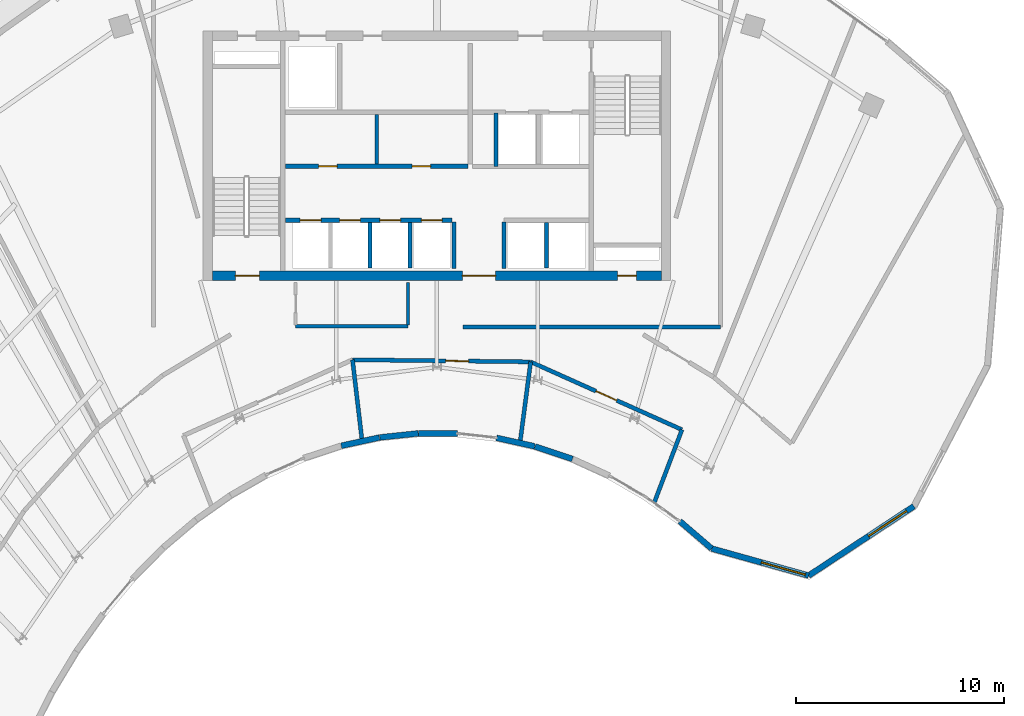
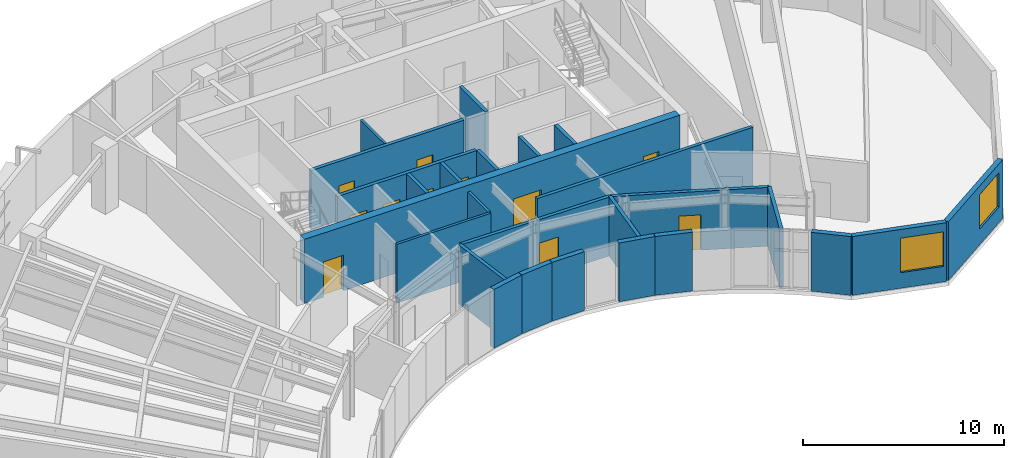
# One storey, part 8 of 12: 26 walls, 11 doors, 2 windows, 13 openings.
"""IFC4 building model written with IfcOpenShell, lengths in metres."""

import ifcopenshell
import ifcopenshell.guid

model = None  # the IFC model being written
_history = None  # IfcOwnerHistory: only IFC2X3 demands one
_inside = {}  # id of a spatial element -> (the spatial element, [elements in it])
_under = {}  # id of a project, library or spatial element -> (it, [spatial elements below it])
_declared = {}  # id of a project -> (the project, [libraries it declares])
_typed = {}  # id of a type object -> (the type object, [elements of that type])
_made_of = {}  # id of a material, layer set ... -> (it, [elements and type objects made of it])


def new_model(schema):
    """Start an empty IFC model of exactly this schema.

    Asked for "IFC4X3", IfcOpenShell would pick the latest addendum, in which some entities
    have other attributes; the version numbers below select the first issue.
    IFC2X3 requires an IfcOwnerHistory on every rooted entity: one is made here for all.
    """
    global model, _history
    if schema == "IFC4X3":
        model = ifcopenshell.file(schema_version=(4, 3, 0, 0))
    else:
        model = ifcopenshell.file(schema=schema)
    _inside.clear()
    _under.clear()
    _declared.clear()
    _typed.clear()
    _made_of.clear()
    _history = None
    if model.schema == "IFC2X3":
        org = make("IfcOrganization", Name="unknown")
        user = make(
            "IfcPersonAndOrganization",
            ThePerson=make("IfcPerson", FamilyName="unknown"),
            TheOrganization=org,
        )
        app = make(
            "IfcApplication",
            ApplicationDeveloper=org,
            Version="unknown",
            ApplicationFullName="unknown",
            ApplicationIdentifier="unknown",
        )
        _history = make(
            "IfcOwnerHistory",
            OwningUser=user,
            OwningApplication=app,
            ChangeAction="ADDED",
            CreationDate=0,
        )
    return model


def make(cls, **values):
    """One entity of the class cls with the attributes given. An attribute that is None is left unset."""
    return model.create_entity(
        cls, **{name: value for name, value in values.items() if value is not None}
    )


def rooted(cls, **values):
    """An entity with a GlobalId (a new one), such as an element, a storey or a relation."""
    return make(cls, GlobalId=ifcopenshell.guid.new(), OwnerHistory=_history, **values)


def si_unit(unit_type, name, prefix=None):
    """IfcSIUnit, for example si_unit("LENGTHUNIT", "METRE", prefix="MILLI")."""
    return make("IfcSIUnit", UnitType=unit_type, Prefix=prefix, Name=name)


def assignment(units):
    """IfcUnitAssignment: the units of a project."""
    return None if units is None else make("IfcUnitAssignment", Units=units)


def point(xyz):
    """IfcCartesianPoint."""
    return None if xyz is None else make("IfcCartesianPoint", Coordinates=xyz)


def direction(xyz):
    """IfcDirection."""
    return None if xyz is None else make("IfcDirection", DirectionRatios=xyz)


def frame(location, z_axis=None, x_axis=None):
    """IfcAxis2Placement3D, a coordinate frame: its origin and axes. An axis left out is left unset."""
    return make(
        "IfcAxis2Placement3D",
        Location=point(location),
        Axis=direction(z_axis),
        RefDirection=direction(x_axis),
    )


def frame_2d(location, x_axis=None):
    """IfcAxis2Placement2D, a coordinate frame in the plane: its origin and x axis."""
    return make(
        "IfcAxis2Placement2D", Location=point(location), RefDirection=direction(x_axis)
    )


def origin():
    """The frame at (0, 0, 0) with its axes left unset."""
    return frame((0.0, 0.0, 0.0))


def place(relative_to, where):
    """IfcLocalPlacement: puts the frame where relative to a parent placement (None: the world)."""
    return make(
        "IfcLocalPlacement", PlacementRelTo=relative_to, RelativePlacement=where
    )


def context(
    kind, dimensions, precision=None, world=None, true_north=None, identifier=None
):
    """IfcGeometricRepresentationContext, for example the 3D "Model" context."""
    return make(
        "IfcGeometricRepresentationContext",
        ContextIdentifier=identifier,
        ContextType=kind,
        CoordinateSpaceDimension=dimensions,
        Precision=precision,
        WorldCoordinateSystem=world,
        TrueNorth=true_north,
    )


def subcontext(parent, identifier, kind, view, scale=None):
    """IfcGeometricRepresentationSubContext, for example "Body" below "Model"."""
    return make(
        "IfcGeometricRepresentationSubContext",
        ContextIdentifier=identifier,
        ContextType=kind,
        ParentContext=parent,
        TargetScale=scale,
        TargetView=view,
    )


def project(units=None, contexts=None):
    """IfcProject with its units and contexts."""
    return rooted(
        "IfcProject",
        Name="project",
        RepresentationContexts=contexts,
        UnitsInContext=assignment(units),
    )


def spatial(cls, under=None, at=None, **own):
    """A site, building, storey or space (cls), placed at a placement, below another one or the project."""
    s = rooted(cls, ObjectPlacement=at, **own)
    if under is not None:
        _under.setdefault(under.id(), (under, []))[1].append(s)
    return s


def profile(cls, at=None, kind="AREA", **sizes):
    """A parametric profile (cls). Its sizes go by their IFC names, for example OverallWidth=200.0."""
    return make(cls, ProfileType=kind, Position=at, **sizes)


def rectangle(**sizes):
    """IfcRectangleProfileDef."""
    return profile("IfcRectangleProfileDef", **sizes)


def extrude(swept, where, along, depth):
    """IfcExtrudedAreaSolid: the profile swept, set in the frame where, extruded along a direction by depth."""
    return make(
        "IfcExtrudedAreaSolid",
        SweptArea=swept,
        Position=where,
        ExtrudedDirection=direction(along),
        Depth=depth,
    )


def shape(context_of_items, identifier, shape_type, items):
    """IfcShapeRepresentation: the items that make up one representation, for example the "Body"."""
    return make(
        "IfcShapeRepresentation",
        ContextOfItems=context_of_items,
        RepresentationIdentifier=identifier,
        RepresentationType=shape_type,
        Items=items,
    )


def source(mapping_origin, context_of_items, identifier, shape_type, items):
    """IfcRepresentationMap: a shape defined once, which mapped items show again and again."""
    return make(
        "IfcRepresentationMap",
        MappingOrigin=mapping_origin,
        MappedRepresentation=shape(context_of_items, identifier, shape_type, items),
    )


def transform(
    local_origin,
    x_axis=None,
    y_axis=None,
    z_axis=None,
    scale=None,
    scale2=None,
    scale3=None,
    uniform=True,
):
    """IfcCartesianTransformationOperator3D, or its non-uniform kind. x_axis, y_axis, z_axis: its Axis1, 2, 3."""
    if uniform:
        return make(
            "IfcCartesianTransformationOperator3D",
            Axis1=direction(x_axis),
            Axis2=direction(y_axis),
            LocalOrigin=point(local_origin),
            Scale=scale,
            Axis3=direction(z_axis),
        )
    return make(
        "IfcCartesianTransformationOperator3DnonUniform",
        Axis1=direction(x_axis),
        Axis2=direction(y_axis),
        LocalOrigin=point(local_origin),
        Scale=scale,
        Axis3=direction(z_axis),
        Scale2=scale2,
        Scale3=scale3,
    )


def mapped(mapping_source, mapping_target):
    """IfcMappedItem: shows the shape of a source again, moved by a transform."""
    return make(
        "IfcMappedItem", MappingSource=mapping_source, MappingTarget=mapping_target
    )


def material(Name=None, Category=None):
    """IfcMaterial."""
    return make("IfcMaterial", Name=Name, Category=Category)


def layer(
    of_material, thickness, ventilated=None, Name=None, Category=None, Priority=None
):
    """IfcMaterialLayer: one layer of a wall or slab, of a material (None: an air gap)."""
    return make(
        "IfcMaterialLayer",
        Material=of_material,
        LayerThickness=thickness,
        IsVentilated=ventilated,
        Name=Name,
        Category=Category,
        Priority=Priority,
    )


def layer_set(layers, Name=None):
    """IfcMaterialLayerSet."""
    return make("IfcMaterialLayerSet", MaterialLayers=layers, LayerSetName=Name)


def made_of(thing, what):
    """Note that an element or type object is made of a material, layer set ...; save() writes the relation."""
    if what is not None:
        _made_of.setdefault(what.id(), (what, []))[1].append(thing)
    return thing


def type_object(cls, material=None, **own):
    """A type object (cls), such as IfcWallType, which elements share."""
    return made_of(rooted(cls, **own), material)


def type_shapes(of_type, sources):
    """Give a type object the sources (RepresentationMaps) that its elements show as mapped items."""
    of_type.RepresentationMaps = sources


def element(
    cls,
    number,
    at=None,
    inside=None,
    cuts=None,
    type_object=None,
    material=None,
    context=None,
    identifier="Body",
    shape_type=None,
    held_by="IfcProductDefinitionShape",
    body=None,
    shapes=None,
    **own,
):
    """One element of the class cls, such as IfcWall. Its Tag is "e" and its number.

    at: its placement. inside: the storey or other place that contains it. cuts: it is an
    opening in that element (IfcRelVoidsElement). A single representation is given by context,
    identifier, shape_type and body (its items); several are given by shapes. held_by: the class
    of the entity that holds the representations. save() writes the other relations.
    """
    e = rooted(cls, Tag="e%d" % number, ObjectPlacement=at, **own)
    if body is not None:
        shapes = [shape(context, identifier, shape_type, body)]
    if shapes is not None:
        e.Representation = make(held_by, Representations=shapes)
    if inside is not None:
        _inside.setdefault(inside.id(), (inside, []))[1].append(e)
    if cuts is not None:
        rooted(
            "IfcRelVoidsElement", RelatingBuildingElement=cuts, RelatedOpeningElement=e
        )
    if type_object is not None:
        _typed.setdefault(type_object.id(), (type_object, []))[1].append(e)
    return made_of(e, material)


def fill(opening, filler):
    """IfcRelFillsElement: the door or window that sits in an opening."""
    return rooted(
        "IfcRelFillsElement",
        RelatingOpeningElement=opening,
        RelatedBuildingElement=filler,
    )


def aggregate(whole, parts):
    """IfcRelAggregates: a whole, such as a stair, and the parts it consists of."""
    return rooted("IfcRelAggregates", RelatingObject=whole, RelatedObjects=parts)


def save(model, path):
    """Write the relations noted so far, then the file.

    IfcRelAggregates (storeys below a building ...), IfcRelContainedInSpatialStructure (elements
    in a storey), IfcRelDefinesByType, IfcRelAssociatesMaterial and IfcRelDeclares: one each for
    every whole, place, type object, material and project.
    """
    for whole, parts in _under.values():
        aggregate(whole, parts)
    for where, things in _inside.values():
        rooted(
            "IfcRelContainedInSpatialStructure",
            RelatedElements=things,
            RelatingStructure=where,
        )
    for kind, things in _typed.values():
        rooted("IfcRelDefinesByType", RelatedObjects=things, RelatingType=kind)
    for what, things in _made_of.values():
        rooted("IfcRelAssociatesMaterial", RelatedObjects=things, RelatingMaterial=what)
    for by, libraries in _declared.values():
        rooted("IfcRelDeclares", RelatingContext=by, RelatedDefinitions=libraries)
    model.write(path)


model = new_model("IFC4")

# Units and contexts
model_context = context("Model", 3, precision=1e-05, world=origin(), true_north=direction((0.0, 1.0)))
body_context = subcontext(model_context, "Body", "Model", "MODEL_VIEW")
ifc_project = project(units=[si_unit("LENGTHUNIT", "METRE"), si_unit("AREAUNIT", "SQUARE_METRE"), si_unit("VOLUMEUNIT", "CUBIC_METRE"), si_unit("PLANEANGLEUNIT", "RADIAN"), si_unit("MASSUNIT", "GRAM", prefix="KILO")], contexts=[model_context])

# Site, building, storey
site_placement = place(None, origin())
site = spatial("IfcSite", under=ifc_project, at=site_placement, CompositionType="ELEMENT")
building_placement = place(site_placement, origin())
building = spatial("IfcBuilding", under=site, at=building_placement, Name="Breltana Convention Tower", CompositionType="ELEMENT")
storey_placement = place(building_placement, frame((0.0, 0.0, 250.800048828125)))
storey = spatial("IfcBuildingStorey", under=building, at=storey_placement, Name="L61", CompositionType="ELEMENT", Elevation=250.800048828125)

# Wall, openings, doors
ifc_material_1 = material(Name="Concrete C60/75", Category="concrete")
ifc_layer_1 = layer(ifc_material_1, 0.449951171875, Name="Concrete C60/75")
ifc_layer_set_1 = layer_set([ifc_layer_1], Name="Concrete C60/75")
wall_type_1 = type_object("IfcWallType", Name="SW-CORE-450", PredefinedType="SHEAR", material=ifc_layer_set_1)
shared_shape_1 = source(origin(), body_context, "Body", "SweptSolid", [
    extrude(rectangle(XDim=21.60009765625, YDim=0.449951171875, at=frame_2d((10.800048828125, 0.0))), origin(), (0.0, 0.0, 1.0), 3.89990234375),
])
wall_1_placement = place(storey_placement, frame((37.199951171875, 60.425048828125, 0.0), z_axis=(0.0, 0.0, 1.0), x_axis=(1.0, 0.0, 0.0)))
wall_1 = element("IfcWall", 1, at=wall_1_placement, inside=storey, type_object=wall_type_1, Name="L61 South Core Shear Wall", PredefinedType="SHEAR", context=body_context, shape_type="MappedRepresentation", body=[
    mapped(shared_shape_1, transform((0.0, 0.0, 0.0), scale=1.0)),
])
opening_1_placement = place(wall_1_placement, frame((1.10009765625, 0.0, 0.0)))
opening_1 = element("IfcOpeningElement", 2, at=opening_1_placement, cuts=wall_1, Name="Opening D-11", PredefinedType="OPENING", context=body_context, shape_type="SweptSolid", body=[
    extrude(rectangle(XDim=1.14990234375, YDim=2.14990234375, at=frame_2d((0.574951171875, 1.074951171875))), frame((0.0, 0.23486328125, 0.0), z_axis=(0.0, -1.0, 0.0), x_axis=(1.0, 0.0, 0.0)), (0.0, 0.0, 1.0), 0.469970703125),
])
opening_2_placement = place(wall_1_placement, frame((19.5, 0.0, 0.0)))
opening_2 = element("IfcOpeningElement", 3, at=opening_2_placement, cuts=wall_1, Name="Opening D-18", PredefinedType="OPENING", context=body_context, shape_type="SweptSolid", body=[
    extrude(rectangle(XDim=0.89990234375, YDim=2.10009765625, at=frame_2d((0.449951171875, 1.050048828125))), frame((0.0, 0.23486328125, 0.0), z_axis=(0.0, -1.0, 0.0), x_axis=(1.0, 0.0, 0.0)), (0.0, 0.0, 1.0), 0.469970703125),
])
opening_3_placement = place(wall_1_placement, frame((12.02001953125, 0.0, 0.0)))
opening_3 = element("IfcOpeningElement", 4, at=opening_3_placement, cuts=wall_1, Name="Opening D-02", PredefinedType="OPENING", context=body_context, shape_type="SweptSolid", body=[
    extrude(rectangle(XDim=1.60009765625, YDim=2.14990234375, at=frame_2d((0.800048828125, 1.074951171875))), frame((0.0, 0.23486328125, 0.0), z_axis=(0.0, -1.0, 0.0), x_axis=(1.0, 0.0, 0.0)), (0.0, 0.0, 1.0), 0.469970703125),
])
ifc_material_2 = material(Name="Steel Stair Exit Door", Category="steel")
door_type_1 = type_object("IfcDoorType", Name="DR-FD120-1150", OperationType="NOTDEFINED", PredefinedType="DOOR", material=ifc_material_2)
shared_shape_2 = source(origin(), body_context, "Body", "SweptSolid", [
    extrude(rectangle(XDim=1.14990234375, YDim=2.14990234375, at=frame_2d((0.574951171875, 1.074951171875))), frame((0.0, 0.02490234375, 0.0), z_axis=(0.0, -1.0, 0.0), x_axis=(1.0, 0.0, 0.0)), (0.0, 0.0, 1.0), 0.050048828125),
])
type_shapes(door_type_1, [shared_shape_2])
door_1_placement = place(opening_1_placement, origin())
door_1 = element("IfcDoor", 5, at=door_1_placement, inside=storey, type_object=door_type_1, Name="L61 interior door D-L61-ST1", OperationType="SINGLE_SWING_LEFT", OverallHeight=2.14990234375, OverallWidth=1.14990234375, PredefinedType="DOOR", context=body_context, shape_type="MappedRepresentation", body=[
    mapped(shared_shape_2, transform((0.0, 0.0, 0.0), scale=1.0)),
])
fill(opening_1, door_1)
ifc_material_3 = material(Name="Steel Riser Fire Door", Category="steel")
door_type_2 = type_object("IfcDoorType", Name="DR-FD60-900", OperationType="NOTDEFINED", PredefinedType="DOOR", material=ifc_material_3)
shared_shape_3 = source(origin(), body_context, "Body", "SweptSolid", [
    extrude(rectangle(XDim=0.89990234375, YDim=2.10009765625, at=frame_2d((0.449951171875, 1.050048828125))), frame((0.0, 0.02490234375, 0.0), z_axis=(0.0, -1.0, 0.0), x_axis=(1.0, 0.0, 0.0)), (0.0, 0.0, 1.0), 0.050048828125),
])
type_shapes(door_type_2, [shared_shape_3])
door_2_placement = place(opening_2_placement, origin())
door_2 = element("IfcDoor", 6, at=door_2_placement, inside=storey, type_object=door_type_2, Name="L61 Core Riser Access Door D-L61-RS2", OperationType="SINGLE_SWING_RIGHT", OverallHeight=2.10009765625, OverallWidth=0.89990234375, PredefinedType="DOOR", context=body_context, shape_type="MappedRepresentation", body=[
    mapped(shared_shape_3, transform((0.0, 0.0, 0.0), scale=1.0)),
])
fill(opening_2, door_2)
ifc_material_4 = material(Name="Steel Glazed Smoke-Control Door", Category="steel")
door_type_3 = type_object("IfcDoorType", Name="DR-DBL-FD90-1600", OperationType="DOUBLE_DOOR_SINGLE_SWING", PredefinedType="DOOR", material=ifc_material_4)
shared_shape_4 = source(origin(), body_context, "Body", "SweptSolid", [
    extrude(rectangle(XDim=1.60009765625, YDim=2.14990234375, at=frame_2d((0.800048828125, 1.074951171875))), frame((0.0, 0.02490234375, 0.0), z_axis=(0.0, -1.0, 0.0), x_axis=(1.0, 0.0, 0.0)), (0.0, 0.0, 1.0), 0.050048828125),
])
type_shapes(door_type_3, [shared_shape_4])
door_3_placement = place(opening_3_placement, origin())
door_3 = element("IfcDoor", 7, at=door_3_placement, inside=storey, type_object=door_type_3, Name="L61 interior door D-L61-LLB-S", OperationType="DOUBLE_DOOR_SINGLE_SWING", OverallHeight=2.14990234375, OverallWidth=1.60009765625, PredefinedType="DOOR", context=body_context, shape_type="MappedRepresentation", body=[
    mapped(shared_shape_4, transform((0.0, 0.0, 0.0), scale=1.0)),
])
fill(opening_3, door_3)

# Wall, opening, window
ifc_material_5 = material(Name="Limestone Buff Insulated Wall", Category="masonry")
ifc_layer_2 = layer(ifc_material_5, 0.280029296875, Name="Limestone Buff Insulated Wall")
ifc_layer_set_2 = layer_set([ifc_layer_2], Name="Limestone Buff Insulated Wall")
wall_type_2 = type_object("IfcWallType", Name="WL-EXT-NOSE-280", PredefinedType="SOLIDWALL", material=ifc_layer_set_2)
shared_shape_5 = source(origin(), body_context, "Body", "SweptSolid", [
    extrude(rectangle(XDim=6.065185546875, YDim=0.280029296875, at=frame_2d((3.03271484375, 0.0))), origin(), (0.0, 0.0, 1.0), 3.579833984375),
])
wall_2_placement = place(storey_placement, frame((70.9541015625, 49.3349609375, 0.0), z_axis=(0.0, 0.0, 1.0), x_axis=(-0.834857303202, -0.550466423399, 0.0)))
wall_2 = element("IfcWall", 8, at=wall_2_placement, inside=storey, type_object=wall_type_2, Name="L61 curved limestone nose wall E4", PredefinedType="SOLIDWALL", context=body_context, shape_type="MappedRepresentation", body=[
    mapped(shared_shape_5, transform((0.0, 0.0, 0.0), scale=1.0)),
])
opening_4_placement = place(wall_2_placement, frame((0.416259765625, 0.0, 0.949951171875)))
opening_4 = element("IfcOpeningElement", 9, at=opening_4_placement, cuts=wall_2, Name="Opening W-03", PredefinedType="OPENING", context=body_context, shape_type="SweptSolid", body=[
    extrude(rectangle(XDim=2.199951171875, YDim=2.10009765625, at=frame_2d((1.10009765625, 1.050048828125))), frame((0.0, 0.14990234375, 0.0), z_axis=(0.0, -1.0, 0.0), x_axis=(1.0, 0.0, 0.0)), (0.0, 0.0, 1.0), 0.300048828125),
])
ifc_material_6 = material(Name="Glass Low-E Insulated Window", Category="glass")
window_type = type_object("IfcWindowType", Name="WN-NOSE-2200X2100", PartitioningType="TRIPLE_PANEL_VERTICAL", PredefinedType="WINDOW", material=ifc_material_6)
shared_shape_6 = source(origin(), body_context, "Body", "SweptSolid", [
    extrude(rectangle(XDim=2.199951171875, YDim=2.10009765625, at=frame_2d((1.10009765625, 1.050048828125))), frame((0.0, 0.030029296875, 0.0), z_axis=(0.0, -1.0, 0.0), x_axis=(1.0, 0.0, 0.0)), (0.0, 0.0, 1.0), 0.06005859375),
])
type_shapes(window_type, [shared_shape_6])
window_1_placement = place(opening_4_placement, origin())
window_1 = element("IfcWindow", 10, at=window_1_placement, inside=storey, type_object=window_type, Name="L61 nose window E4", OverallHeight=2.10009765625, OverallWidth=2.199951171875, PartitioningType="TRIPLE_PANEL_VERTICAL", PredefinedType="WINDOW", context=body_context, shape_type="MappedRepresentation", body=[
    mapped(shared_shape_6, transform((0.0, 0.0, 0.0), scale=1.0)),
])
fill(opening_4, window_1)

shared_shape_7 = source(origin(), body_context, "Body", "SweptSolid", [
    extrude(rectangle(XDim=4.84716796875, YDim=0.280029296875, at=frame_2d((2.423583984375, 0.0))), origin(), (0.0, 0.0, 1.0), 3.579833984375),
])
wall_3_placement = place(storey_placement, frame((65.890625, 45.996337890625, 0.0), z_axis=(0.0, 0.0, 1.0), x_axis=(-0.963208430762, 0.268755500238, 0.0)))
wall_3 = element("IfcWall", 11, at=wall_3_placement, inside=storey, type_object=wall_type_2, Name="L61 curved limestone nose wall E5", PredefinedType="SOLIDWALL", context=body_context, shape_type="MappedRepresentation", body=[
    mapped(shared_shape_7, transform((0.0, 0.0, 0.0), scale=1.0)),
])
opening_5_placement = place(wall_3_placement, frame((0.159912109375, 0.0, 0.949951171875)))
opening_5 = element("IfcOpeningElement", 12, at=opening_5_placement, cuts=wall_3, Name="Opening W-03", PredefinedType="OPENING", context=body_context, shape_type="SweptSolid", body=[
    extrude(rectangle(XDim=2.199951171875, YDim=2.10009765625, at=frame_2d((1.10009765625, 1.050048828125))), frame((0.0, 0.14990234375, 0.0), z_axis=(0.0, -1.0, 0.0), x_axis=(1.0, 0.0, 0.0)), (0.0, 0.0, 1.0), 0.300048828125),
])
window_2_placement = place(opening_5_placement, origin())
window_2 = element("IfcWindow", 13, at=window_2_placement, inside=storey, type_object=window_type, Name="L61 nose window E5", OverallHeight=2.10009765625, OverallWidth=2.199951171875, PartitioningType="TRIPLE_PANEL_VERTICAL", PredefinedType="WINDOW", context=body_context, shape_type="MappedRepresentation", body=[
    mapped(shared_shape_6, transform((0.0, 0.0, 0.0), scale=1.0)),
])
fill(opening_5, window_2)

# Walls
shared_shape_8 = source(origin(), body_context, "Body", "SweptSolid", [
    extrude(rectangle(XDim=2.022216796875, YDim=0.280029296875, at=frame_2d((1.01123046875, 0.0))), origin(), (0.0, 0.0, 1.0), 3.579833984375),
])
wall_4_placement = place(storey_placement, frame((61.2216796875, 47.299072265625, 0.0), z_axis=(0.0, 0.0, 1.0), x_axis=(-0.758343943716, 0.651854633358, 0.0)))
element("IfcWall", 14, at=wall_4_placement, inside=storey, type_object=wall_type_2, Name="L61 curved limestone nose wall E6", PredefinedType="SOLIDWALL", context=body_context, shape_type="MappedRepresentation", body=[
    mapped(shared_shape_8, transform((0.0, 0.0, 0.0), scale=1.0)),
])
shared_shape_9 = source(origin(), body_context, "Body", "SweptSolid", [
    extrude(rectangle(XDim=1.901123046875, YDim=0.280029296875, at=frame_2d((0.95068359375, 0.0))), origin(), (0.0, 0.0, 1.0), 3.579833984375),
])
wall_5_placement = place(storey_placement, frame((54.52294921875, 51.608154296875, 0.0), z_axis=(0.0, 0.0, 1.0), x_axis=(-0.94793587841, 0.318461254194, 0.0)))
element("IfcWall", 15, at=wall_5_placement, inside=storey, type_object=wall_type_2, Name="L61 curved limestone nose wall E8", PredefinedType="SOLIDWALL", context=body_context, shape_type="MappedRepresentation", body=[
    mapped(shared_shape_9, transform((0.0, 0.0, 0.0), scale=1.0)),
])
shared_shape_10 = source(origin(), body_context, "Body", "SweptSolid", [
    extrude(rectangle(XDim=1.877685546875, YDim=0.280029296875, at=frame_2d((0.93896484375, 0.0))), origin(), (0.0, 0.0, 1.0), 3.579833984375),
])
wall_6_placement = place(storey_placement, frame((52.702392578125, 52.21875, 0.0), z_axis=(0.0, 0.0, 1.0), x_axis=(-0.976138082714, 0.217150739061, 0.0)))
element("IfcWall", 16, at=wall_6_placement, inside=storey, type_object=wall_type_2, Name="L61 curved limestone nose wall E9", PredefinedType="SOLIDWALL", context=body_context, shape_type="MappedRepresentation", body=[
    mapped(shared_shape_10, transform((0.0, 0.0, 0.0), scale=1.0)),
])
shared_shape_11 = source(origin(), body_context, "Body", "SweptSolid", [
    extrude(rectangle(XDim=1.858154296875, YDim=0.280029296875, at=frame_2d((0.92919921875, 0.0))), origin(), (0.0, 0.0, 1.0), 3.579833984375),
])
wall_7_placement = place(storey_placement, frame((48.9794921875, 52.837890625, 0.0), z_axis=(0.0, 0.0, 1.0), x_axis=(-0.999995433965, 0.003021928128, 0.0)))
element("IfcWall", 17, at=wall_7_placement, inside=storey, type_object=wall_type_2, Name="L61 curved limestone nose wall E10", PredefinedType="SOLIDWALL", context=body_context, shape_type="MappedRepresentation", body=[
    mapped(shared_shape_11, transform((0.0, 0.0, 0.0), scale=1.0)),
])
shared_shape_12 = source(origin(), body_context, "Body", "SweptSolid", [
    extrude(rectangle(XDim=1.8623046875, YDim=0.280029296875, at=frame_2d((0.93115234375, 0.0))), origin(), (0.0, 0.0, 1.0), 3.579833984375),
])
wall_8_placement = place(storey_placement, frame((47.101806640625, 52.84228515625, 0.0), z_axis=(0.0, 0.0, 1.0), x_axis=(-0.994430497743, -0.1053944266, 0.0)))
element("IfcWall", 18, at=wall_8_placement, inside=storey, type_object=wall_type_2, Name="L61 curved limestone nose wall E11", PredefinedType="SOLIDWALL", context=body_context, shape_type="MappedRepresentation", body=[
    mapped(shared_shape_12, transform((0.0, 0.0, 0.0), scale=1.0)),
])
shared_shape_13 = source(origin(), body_context, "Body", "SweptSolid", [
    extrude(rectangle(XDim=1.876708984375, YDim=0.280029296875, at=frame_2d((0.9384765625, 0.0))), origin(), (0.0, 0.0, 1.0), 3.579833984375),
])
wall_9_placement = place(storey_placement, frame((45.230712890625, 52.642822265625, 0.0), z_axis=(0.0, 0.0, 1.0), x_axis=(-0.97737202312, -0.211527606761, 0.0)))
element("IfcWall", 19, at=wall_9_placement, inside=storey, type_object=wall_type_2, Name="L61 curved limestone nose wall E12", PredefinedType="SOLIDWALL", context=body_context, shape_type="MappedRepresentation", body=[
    mapped(shared_shape_13, transform((0.0, 0.0, 0.0), scale=1.0)),
])
ifc_material_7 = material(Name="Autoclaved Aerated Concrete Block", Category="concrete")
ifc_layer_3 = layer(ifc_material_7, 0.199951171875, Name="Autoclaved Aerated Concrete Block")
ifc_layer_set_3 = layer_set([ifc_layer_3], Name="Autoclaved Aerated Concrete Block")
wall_type_3 = type_object("IfcWallType", Name="WL-SHAFT-200", PredefinedType="SOLIDWALL", material=ifc_layer_set_3)
shared_shape_14 = source(origin(), body_context, "Body", "SweptSolid", [
    extrude(rectangle(XDim=2.239990234375, YDim=0.199951171875, at=frame_2d((1.1201171875, 0.0))), origin(), (0.0, 0.0, 1.0), 3.579833984375),
])
for number, where, z_axis, x_axis, name in (
    (20, (48.820068359375, 60.780029296875, 0.0), (0.0, 0.0, 1.0), (0.0, 1.0, 0.0), "L61 interior partition W-L61-PORT-W"),
    (21, (51.219970703125, 60.780029296875, 0.0), (0.0, 0.0, 1.0), (0.0, 1.0, 0.0), "L61 interior partition W-L61-PORT-E"),
):
    element("IfcWall", number, at=place(storey_placement, frame(where, z_axis=z_axis, x_axis=x_axis)), inside=storey, type_object=wall_type_3, Name=name, PredefinedType="SOLIDWALL", context=body_context, shape_type="MappedRepresentation", body=[
        mapped(shared_shape_14, transform((0.0, 0.0, 0.0), scale=1.0)),
    ])
shared_shape_15 = source(origin(), body_context, "Body", "SweptSolid", [
    extrude(rectangle(XDim=2.580078125, YDim=0.199951171875, at=frame_2d((1.2900390625, 0.0))), origin(), (0.0, 0.0, 1.0), 3.579833984375),
])
wall_10_placement = place(storey_placement, frame((50.85009765625, 65.679931640625, 0.0), z_axis=(0.0, 0.0, 1.0), x_axis=(0.0, 1.0, 0.0)))
element("IfcWall", 22, at=wall_10_placement, inside=storey, type_object=wall_type_3, Name="L61 interior partition W-L61-FL-W", PredefinedType="SOLIDWALL", context=body_context, shape_type="MappedRepresentation", body=[
    mapped(shared_shape_15, transform((0.0, 0.0, 0.0), scale=1.0)),
])

# Wall, openings, doors
shared_shape_16 = source(origin(), body_context, "Body", "SweptSolid", [
    extrude(rectangle(XDim=8.800048828125, YDim=0.199951171875, at=frame_2d((4.39990234375, 0.0))), origin(), (0.0, 0.0, 1.0), 3.579833984375),
])
wall_11_placement = place(storey_placement, frame((40.699951171875, 65.699951171875, 0.0), z_axis=(0.0, 0.0, 1.0), x_axis=(1.0, 0.0, 0.0)))
wall_11 = element("IfcWall", 23, at=wall_11_placement, inside=storey, type_object=wall_type_3, Name="L61 interior partition W-L61-SH-M-FRONT", PredefinedType="SOLIDWALL", context=body_context, shape_type="MappedRepresentation", body=[
    mapped(shared_shape_16, transform((0.0, 0.0, 0.0), scale=1.0)),
])
opening_6_placement = place(wall_11_placement, frame((1.60009765625, 0.0, 0.0)))
opening_6 = element("IfcOpeningElement", 24, at=opening_6_placement, cuts=wall_11, Name="Opening D-18", PredefinedType="OPENING", context=body_context, shape_type="SweptSolid", body=[
    extrude(rectangle(XDim=0.89990234375, YDim=2.10009765625, at=frame_2d((0.449951171875, 1.050048828125))), frame((0.0, 0.10986328125, 0.0), z_axis=(0.0, -1.0, 0.0), x_axis=(1.0, 0.0, 0.0)), (0.0, 0.0, 1.0), 0.219970703125),
])
opening_7_placement = place(wall_11_placement, frame((6.10009765625, 0.0, 0.0)))
opening_7 = element("IfcOpeningElement", 25, at=opening_7_placement, cuts=wall_11, Name="Opening D-18", PredefinedType="OPENING", context=body_context, shape_type="SweptSolid", body=[
    extrude(rectangle(XDim=0.89990234375, YDim=2.10009765625, at=frame_2d((0.449951171875, 1.050048828125))), frame((0.0, 0.10986328125, 0.0), z_axis=(0.0, -1.0, 0.0), x_axis=(1.0, 0.0, 0.0)), (0.0, 0.0, 1.0), 0.219970703125),
])
door_4_placement = place(opening_6_placement, origin())
door_4 = element("IfcDoor", 26, at=door_4_placement, inside=storey, type_object=door_type_2, Name="L61 interior door D-L61-LV7-B2A", OperationType="SINGLE_SWING_RIGHT", OverallHeight=2.10009765625, OverallWidth=0.89990234375, PredefinedType="DOOR", context=body_context, shape_type="MappedRepresentation", body=[
    mapped(shared_shape_3, transform((0.0, 0.0, 0.0), scale=1.0)),
])
fill(opening_6, door_4)
door_5_placement = place(opening_7_placement, origin())
door_5 = element("IfcDoor", 27, at=door_5_placement, inside=storey, type_object=door_type_2, Name="L61 interior door D-L61-LV7-B2B", OperationType="SINGLE_SWING_LEFT", OverallHeight=2.10009765625, OverallWidth=0.89990234375, PredefinedType="DOOR", context=body_context, shape_type="MappedRepresentation", body=[
    mapped(shared_shape_3, transform((0.0, 0.0, 0.0), scale=1.0)),
])
fill(opening_7, door_5)

shared_shape_17 = source(origin(), body_context, "Body", "SweptSolid", [
    extrude(rectangle(XDim=8.02001953125, YDim=0.199951171875, at=frame_2d((4.010009765625, 0.0))), origin(), (0.0, 0.0, 1.0), 3.579833984375),
])
wall_12_placement = place(storey_placement, frame((40.699951171875, 63.10009765625, 0.0), z_axis=(0.0, 0.0, 1.0), x_axis=(1.0, 0.0, 0.0)))
wall_12 = element("IfcWall", 28, at=wall_12_placement, inside=storey, type_object=wall_type_3, Name="L61 interior partition W-L61-SH-S-FRONT", PredefinedType="SOLIDWALL", context=body_context, shape_type="MappedRepresentation", body=[
    mapped(shared_shape_17, transform((0.0, 0.0, 0.0), scale=1.0)),
])
opening_8_placement = place(wall_12_placement, frame((0.719970703125, 0.0, 0.0)))
opening_8 = element("IfcOpeningElement", 29, at=opening_8_placement, cuts=wall_12, Name="Opening LD-04", PredefinedType="OPENING", context=body_context, shape_type="SweptSolid", body=[
    extrude(rectangle(XDim=1.0, YDim=2.14990234375, at=frame_2d((0.5, 1.074951171875))), frame((0.0, 0.10986328125, 0.0), z_axis=(0.0, -1.0, 0.0), x_axis=(1.0, 0.0, 0.0)), (0.0, 0.0, 1.0), 0.219970703125),
])
opening_9_placement = place(wall_12_placement, frame((2.6201171875, 0.0, 0.0)))
opening_9 = element("IfcOpeningElement", 30, at=opening_9_placement, cuts=wall_12, Name="Opening LD-04", PredefinedType="OPENING", context=body_context, shape_type="SweptSolid", body=[
    extrude(rectangle(XDim=1.0, YDim=2.14990234375, at=frame_2d((0.5, 1.074951171875))), frame((0.0, 0.10986328125, 0.0), z_axis=(0.0, -1.0, 0.0), x_axis=(1.0, 0.0, 0.0)), (0.0, 0.0, 1.0), 0.219970703125),
])
opening_10_placement = place(wall_12_placement, frame((4.550048828125, 0.0, 0.0)))
opening_10 = element("IfcOpeningElement", 31, at=opening_10_placement, cuts=wall_12, Name="Opening LD-04", PredefinedType="OPENING", context=body_context, shape_type="SweptSolid", body=[
    extrude(rectangle(XDim=1.0, YDim=2.14990234375, at=frame_2d((0.5, 1.074951171875))), frame((0.0, 0.10986328125, 0.0), z_axis=(0.0, -1.0, 0.0), x_axis=(1.0, 0.0, 0.0)), (0.0, 0.0, 1.0), 0.219970703125),
])
opening_11_placement = place(wall_12_placement, frame((6.550048828125, 0.0, 0.0)))
opening_11 = element("IfcOpeningElement", 32, at=opening_11_placement, cuts=wall_12, Name="Opening LD-04", PredefinedType="OPENING", context=body_context, shape_type="SweptSolid", body=[
    extrude(rectangle(XDim=1.0, YDim=2.14990234375, at=frame_2d((0.5, 1.074951171875))), frame((0.0, 0.10986328125, 0.0), z_axis=(0.0, -1.0, 0.0), x_axis=(1.0, 0.0, 0.0)), (0.0, 0.0, 1.0), 0.219970703125),
])
ifc_material_8 = material(Name="Stainless Steel Brushed", Category="steel")
door_type_4 = type_object("IfcDoorType", Name="DR-LD-PAX-1000", OperationType="DOUBLE_DOOR_SLIDING", PredefinedType="DOOR", material=ifc_material_8)
shared_shape_18 = source(origin(), body_context, "Body", "SweptSolid", [
    extrude(rectangle(XDim=1.0, YDim=2.14990234375, at=frame_2d((0.5, 1.074951171875))), frame((0.0, 0.02490234375, 0.0), z_axis=(0.0, -1.0, 0.0), x_axis=(1.0, 0.0, 0.0)), (0.0, 0.0, 1.0), 0.050048828125),
])
type_shapes(door_type_4, [shared_shape_18])
door_6_placement = place(opening_8_placement, origin())
door_6 = element("IfcDoor", 33, at=door_6_placement, inside=storey, type_object=door_type_4, Name="L61 Lift Landing Door D-L61-LD-S1", OperationType="DOUBLE_DOOR_SLIDING", OverallHeight=2.14990234375, OverallWidth=1.0, PredefinedType="DOOR", context=body_context, shape_type="MappedRepresentation", body=[
    mapped(shared_shape_18, transform((0.0, 0.0, 0.0), scale=1.0)),
])
fill(opening_8, door_6)
door_7_placement = place(opening_9_placement, origin())
door_7 = element("IfcDoor", 34, at=door_7_placement, inside=storey, type_object=door_type_4, Name="L61 Lift Landing Door D-L61-LD-S2", OperationType="DOUBLE_DOOR_SLIDING", OverallHeight=2.14990234375, OverallWidth=1.0, PredefinedType="DOOR", context=body_context, shape_type="MappedRepresentation", body=[
    mapped(shared_shape_18, transform((0.0, 0.0, 0.0), scale=1.0)),
])
fill(opening_9, door_7)
door_8_placement = place(opening_10_placement, origin())
door_8 = element("IfcDoor", 35, at=door_8_placement, inside=storey, type_object=door_type_4, Name="L61 Lift Landing Door D-L61-LD-S3", OperationType="DOUBLE_DOOR_SLIDING", OverallHeight=2.14990234375, OverallWidth=1.0, PredefinedType="DOOR", context=body_context, shape_type="MappedRepresentation", body=[
    mapped(shared_shape_18, transform((0.0, 0.0, 0.0), scale=1.0)),
])
fill(opening_10, door_8)
door_9_placement = place(opening_11_placement, origin())
door_9 = element("IfcDoor", 36, at=door_9_placement, inside=storey, type_object=door_type_4, Name="L61 Lift Landing Door D-L61-LD-S4", OperationType="DOUBLE_DOOR_SLIDING", OverallHeight=2.14990234375, OverallWidth=1.0, PredefinedType="DOOR", context=body_context, shape_type="MappedRepresentation", body=[
    mapped(shared_shape_18, transform((0.0, 0.0, 0.0), scale=1.0)),
])
fill(opening_11, door_9)

# Walls
shared_shape_19 = source(origin(), body_context, "Body", "SweptSolid", [
    extrude(rectangle(XDim=2.199951171875, YDim=0.199951171875, at=frame_2d((1.10009765625, 0.0))), origin(), (0.0, 0.0, 1.0), 3.579833984375),
])
for number, where, z_axis, x_axis, name in (
    (37, (44.77001953125, 60.800048828125, 0.0), (0.0, 0.0, 1.0), (0.0, 1.0, 0.0), "L61 interior partition W-L61-SH-S-DIV2"),
    (38, (46.699951171875, 60.800048828125, 0.0), (0.0, 0.0, 1.0), (0.0, 1.0, 0.0), "L61 interior partition W-L61-SH-S-DIV3"),
    (39, (53.280029296875, 60.800048828125, 0.0), (0.0, 0.0, 1.0), (0.0, 1.0, 0.0), "L61 interior partition W-L61-SH-X-DIV"),
):
    element("IfcWall", number, at=place(storey_placement, frame(where, z_axis=z_axis, x_axis=x_axis)), inside=storey, type_object=wall_type_3, Name=name, PredefinedType="SOLIDWALL", context=body_context, shape_type="MappedRepresentation", body=[
        mapped(shared_shape_19, transform((0.0, 0.0, 0.0), scale=1.0)),
    ])
ifc_material_9 = material(Name="Gypsum Acoustic Drywall Partition")
ifc_layer_4 = layer(ifc_material_9, 0.14990234375, Name="Gypsum Acoustic Drywall Partition")
ifc_layer_set_4 = layer_set([ifc_layer_4], Name="Gypsum Acoustic Drywall Partition")
wall_type_4 = type_object("IfcWallType", Name="WL-PART-150", PredefinedType="PARTITIONING", material=ifc_layer_set_4)
shared_shape_20 = source(origin(), body_context, "Body", "SweptSolid", [
    extrude(rectangle(XDim=2.39990234375, YDim=0.14990234375, at=frame_2d((1.199951171875, 0.0))), origin(), (0.0, 0.0, 1.0), 3.579833984375),
])
wall_13_placement = place(storey_placement, frame((45.10009765625, 65.800048828125, 0.0), z_axis=(0.0, 0.0, 1.0), x_axis=(0.0, 1.0, 0.0)))
element("IfcWall", 40, at=wall_13_placement, inside=storey, type_object=wall_type_4, Name="L61 interior partition W-L61-LV7-B2-DIV", PredefinedType="PARTITIONING", context=body_context, shape_type="MappedRepresentation", body=[
    mapped(shared_shape_20, transform((0.0, 0.0, 0.0), scale=1.0)),
])
shared_shape_21 = source(origin(), body_context, "Body", "SweptSolid", [
    extrude(rectangle(XDim=5.400146484375, YDim=0.14990234375, at=frame_2d((2.7001953125, 0.0))), origin(), (0.0, 0.0, 1.0), 3.579833984375),
])
wall_14_placement = place(storey_placement, frame((41.199951171875, 58.0, 0.0), z_axis=(0.0, 0.0, 1.0), x_axis=(1.0, 0.0, 0.0)))
element("IfcWall", 41, at=wall_14_placement, inside=storey, type_object=wall_type_4, Name="L61 interior partition W-L61-CRSC-S", PredefinedType="PARTITIONING", context=body_context, shape_type="MappedRepresentation", body=[
    mapped(shared_shape_21, transform((0.0, 0.0, 0.0), scale=1.0)),
])
shared_shape_22 = source(origin(), body_context, "Body", "SweptSolid", [
    extrude(rectangle(XDim=2.03271484375, YDim=0.14990234375, at=frame_2d((1.016357421875, 0.0))), origin(), (0.0, 0.0, 1.0), 3.579833984375),
])
wall_15_placement = place(storey_placement, frame((46.60009765625, 58.0673828125, 0.0), z_axis=(0.0, 0.0, 1.0), x_axis=(0.0, 1.0, 0.0)))
element("IfcWall", 42, at=wall_15_placement, inside=storey, type_object=wall_type_4, Name="L61 interior partition W-L61-CRSC-E", PredefinedType="PARTITIONING", context=body_context, shape_type="MappedRepresentation", body=[
    mapped(shared_shape_22, transform((0.0, 0.0, 0.0), scale=1.0)),
])
ifc_material_10 = material(Name="Gypsum Acoustic Hotel Wall")
ifc_layer_5 = layer(ifc_material_10, 0.195068359375, Name="Gypsum Acoustic Hotel Wall")
ifc_layer_set_5 = layer_set([ifc_layer_5], Name="Gypsum Acoustic Hotel Wall")
wall_type_5 = type_object("IfcWallType", Name="WL-HOTEL-200", PredefinedType="PARTITIONING", material=ifc_layer_set_5)
shared_shape_23 = source(origin(), body_context, "Body", "SweptSolid", [
    extrude(rectangle(XDim=3.93896484375, YDim=0.195068359375, at=frame_2d((1.969482421875, 0.0))), origin(), (0.0, 0.0, 1.0), 3.579833984375),
])
wall_16_placement = place(storey_placement, frame((44.398193359375, 52.472900390625, 0.0), z_axis=(0.0, 0.0, 1.0), x_axis=(-0.117395053494, 0.993085294129, 0.0)))
element("IfcWall", 43, at=wall_16_placement, inside=storey, type_object=wall_type_5, Name="L61 interior partition W-L61-ES1-RB", PredefinedType="PARTITIONING", context=body_context, shape_type="MappedRepresentation", body=[
    mapped(shared_shape_23, transform((0.0, 0.0, 0.0), scale=1.0)),
])

# Wall, opening, door
shared_shape_24 = source(origin(), body_context, "Body", "SweptSolid", [
    extrude(rectangle(XDim=8.576171875, YDim=0.195068359375, at=frame_2d((4.2880859375, 0.0))), origin(), (0.0, 0.0, 1.0), 3.579833984375),
])
wall_17_placement = place(storey_placement, frame((43.935791015625, 56.384521484375, 0.0), z_axis=(0.0, 0.0, 1.0), x_axis=(0.999931553434, -0.011699933624, 0.0)))
wall_17 = element("IfcWall", 44, at=wall_17_placement, inside=storey, type_object=wall_type_5, Name="L61 interior partition W-L61-ES2-COR", PredefinedType="PARTITIONING", context=body_context, shape_type="MappedRepresentation", body=[
    mapped(shared_shape_24, transform((0.0, 0.0, 0.0), scale=1.0)),
])
opening_12_placement = place(wall_17_placement, frame((4.488037109375, 0.0, 0.0)))
opening_12 = element("IfcOpeningElement", 45, at=opening_12_placement, cuts=wall_17, Name="Opening D-12", PredefinedType="OPENING", context=body_context, shape_type="SweptSolid", body=[
    extrude(rectangle(XDim=1.10009765625, YDim=2.14990234375, at=frame_2d((0.550048828125, 1.074951171875))), frame((0.0, 0.107421875, 0.0), z_axis=(0.0, -1.0, 0.0), x_axis=(1.0, 0.0, 0.0)), (0.0, 0.0, 1.0), 0.215087890625),
])
ifc_material_11 = material(Name="Timber Oak Acoustic Door", Category="wood")
door_type_5 = type_object("IfcDoorType", Name="DR-INT-1100", OperationType="NOTDEFINED", PredefinedType="DOOR", material=ifc_material_11)
shared_shape_25 = source(origin(), body_context, "Body", "SweptSolid", [
    extrude(rectangle(XDim=1.10009765625, YDim=2.14990234375, at=frame_2d((0.550048828125, 1.074951171875))), frame((0.0, 0.02490234375, 0.0), z_axis=(0.0, -1.0, 0.0), x_axis=(1.0, 0.0, 0.0)), (0.0, 0.0, 1.0), 0.050048828125),
])
type_shapes(door_type_5, [shared_shape_25])
door_10_placement = place(opening_12_placement, origin())
door_10 = element("IfcDoor", 46, at=door_10_placement, inside=storey, type_object=door_type_5, Name="L61 interior door D-L61-ES2", OperationType="SINGLE_SWING_RIGHT", OverallHeight=2.14990234375, OverallWidth=1.10009765625, PredefinedType="DOOR", context=body_context, shape_type="MappedRepresentation", body=[
    mapped(shared_shape_25, transform((0.0, 0.0, 0.0), scale=1.0)),
])
fill(opening_12, door_10)

# Wall
shared_shape_26 = source(origin(), body_context, "Body", "SweptSolid", [
    extrude(rectangle(XDim=3.932373046875, YDim=0.195068359375, at=frame_2d((1.96630859375, 0.0))), origin(), (0.0, 0.0, 1.0), 3.579833984375),
])
wall_18_placement = place(storey_placement, frame((51.998291015625, 52.385498046875, 0.0), z_axis=(0.0, 0.0, 1.0), x_axis=(0.130504299366, 0.991447743377, 0.0)))
element("IfcWall", 47, at=wall_18_placement, inside=storey, type_object=wall_type_5, Name="L61 interior partition W-L61-ES2-RB", PredefinedType="PARTITIONING", context=body_context, shape_type="MappedRepresentation", body=[
    mapped(shared_shape_26, transform((0.0, 0.0, 0.0), scale=1.0)),
])

# Wall, opening, door
shared_shape_27 = source(origin(), body_context, "Body", "SweptSolid", [
    extrude(rectangle(XDim=7.981689453125, YDim=0.195068359375, at=frame_2d((3.99072265625, 0.0))), origin(), (0.0, 0.0, 1.0), 3.579833984375),
])
wall_19_placement = place(storey_placement, frame((52.511474609375, 56.2841796875, 0.0), z_axis=(0.0, 0.0, 1.0), x_axis=(0.91248609472, -0.409107720464, 0.0)))
wall_19 = element("IfcWall", 48, at=wall_19_placement, inside=storey, type_object=wall_type_5, Name="L61 interior partition W-L61-ES3-COR", PredefinedType="PARTITIONING", context=body_context, shape_type="MappedRepresentation", body=[
    mapped(shared_shape_27, transform((0.0, 0.0, 0.0), scale=1.0)),
])
opening_13_placement = place(wall_19_placement, frame((3.44091796875, 0.0, 0.0)))
opening_13 = element("IfcOpeningElement", 49, at=opening_13_placement, cuts=wall_19, Name="Opening D-12", PredefinedType="OPENING", context=body_context, shape_type="SweptSolid", body=[
    extrude(rectangle(XDim=1.10009765625, YDim=2.14990234375, at=frame_2d((0.550048828125, 1.074951171875))), frame((0.0, 0.107421875, 0.0), z_axis=(0.0, -1.0, 0.0), x_axis=(1.0, 0.0, 0.0)), (0.0, 0.0, 1.0), 0.215087890625),
])
door_11_placement = place(opening_13_placement, origin())
door_11 = element("IfcDoor", 50, at=door_11_placement, inside=storey, type_object=door_type_5, Name="L61 interior door D-L61-ES3", OperationType="SINGLE_SWING_LEFT", OverallHeight=2.14990234375, OverallWidth=1.10009765625, PredefinedType="DOOR", context=body_context, shape_type="MappedRepresentation", body=[
    mapped(shared_shape_25, transform((0.0, 0.0, 0.0), scale=1.0)),
])
fill(opening_13, door_11)

# Walls
shared_shape_28 = source(origin(), body_context, "Body", "SweptSolid", [
    extrude(rectangle(XDim=3.75732421875, YDim=0.195068359375, at=frame_2d((1.878662109375, 0.0))), origin(), (0.0, 0.0, 1.0), 3.579833984375),
])
wall_20_placement = place(storey_placement, frame((58.459228515625, 49.5068359375, 0.0), z_axis=(0.0, 0.0, 1.0), x_axis=(0.355427833237, 0.93470372598, 0.0)))
element("IfcWall", 51, at=wall_20_placement, inside=storey, type_object=wall_type_5, Name="L61 interior partition W-L61-ES3-RB", PredefinedType="PARTITIONING", context=body_context, shape_type="MappedRepresentation", body=[
    mapped(shared_shape_28, transform((0.0, 0.0, 0.0), scale=1.0)),
])
shared_shape_29 = source(origin(), body_context, "Body", "SweptSolid", [
    extrude(rectangle(XDim=12.389892578125, YDim=0.195068359375, at=frame_2d((6.19482421875, 0.0))), origin(), (0.0, 0.0, 1.0), 3.579833984375),
])
wall_21_placement = place(storey_placement, frame((49.25, 57.9599609375, 0.0), z_axis=(0.0, 0.0, 1.0), x_axis=(1.0, 0.0, 0.0)))
element("IfcWall", 52, at=wall_21_placement, inside=storey, type_object=wall_type_5, Name="L61 interior partition W-L61-Z45-CSE", PredefinedType="PARTITIONING", context=body_context, shape_type="MappedRepresentation", body=[
    mapped(shared_shape_29, transform((0.0, 0.0, 0.0), scale=1.0)),
])

save(model, "model.ifc")
